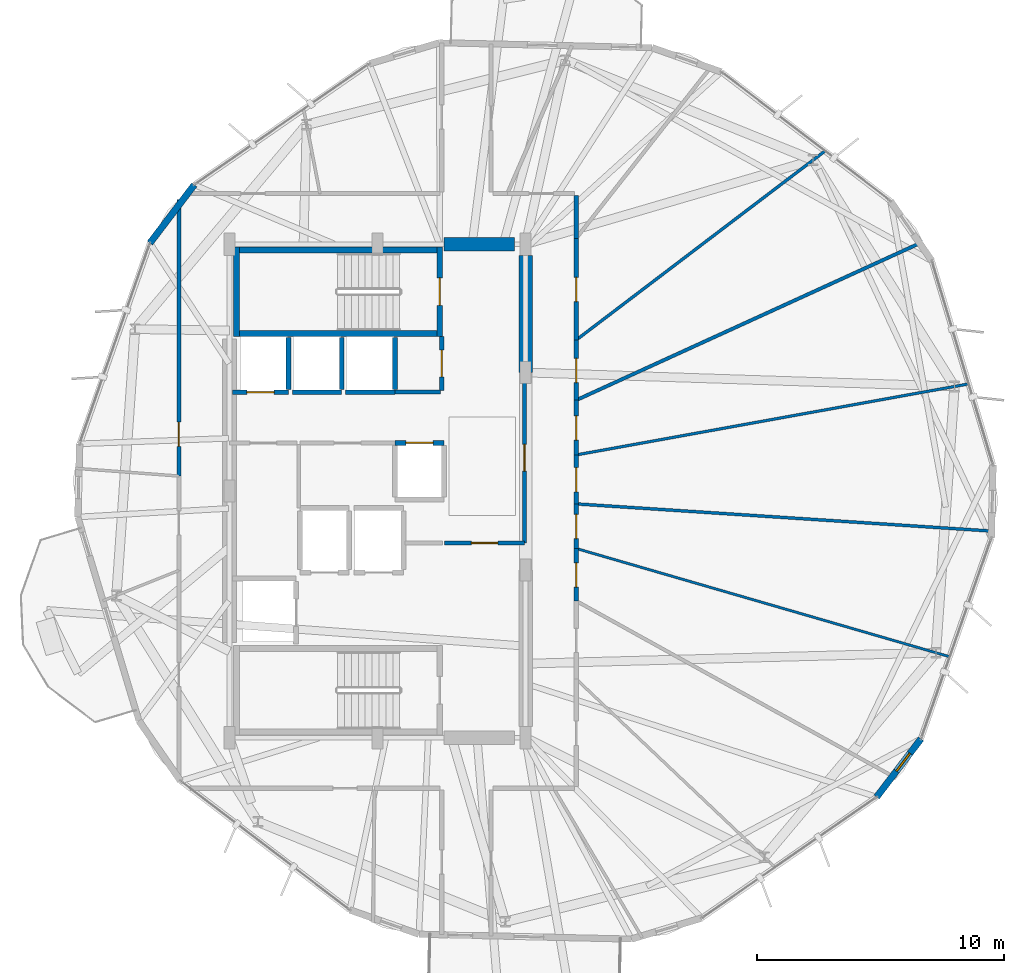
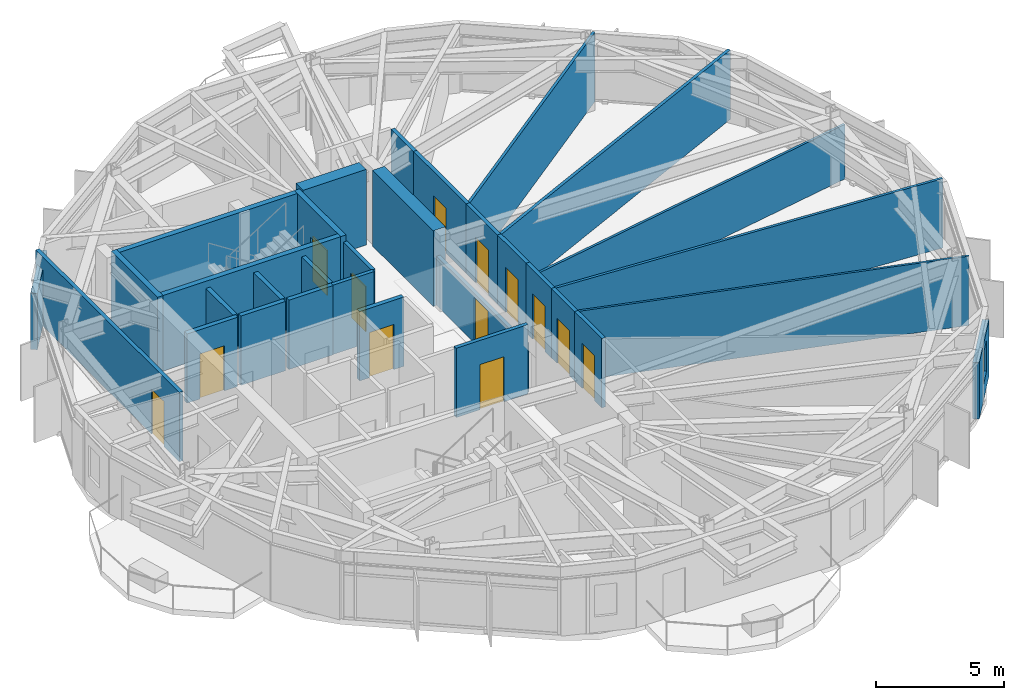
# One storey, part 17 of 22: 32 walls, 13 doors, 1 window, 14 openings.
"""IFC4 building model written with IfcOpenShell, lengths in metres."""

from ifc_helpers import new_model, si_unit, direction, frame, frame_2d, origin, place, context, subcontext, project, spatial, rectangle, extrude, material, layer, layer_set, type_object, element, fill, save


model = new_model("IFC4")

# Units and contexts
model_context = context("Model", 3, precision=1e-05, world=origin(), true_north=direction((0.0, 1.0)))
body_context = subcontext(model_context, "Body", "Model", "MODEL_VIEW")
ifc_project = project(units=[si_unit("LENGTHUNIT", "METRE"), si_unit("AREAUNIT", "SQUARE_METRE"), si_unit("VOLUMEUNIT", "CUBIC_METRE"), si_unit("PLANEANGLEUNIT", "RADIAN"), si_unit("MASSUNIT", "GRAM", prefix="KILO")], contexts=[model_context])

# Site, building, storey
site_placement = place(None, origin())
site = spatial("IfcSite", under=ifc_project, at=site_placement, CompositionType="ELEMENT")
building_placement = place(site_placement, origin())
building = spatial("IfcBuilding", under=site, at=building_placement, Name="Soratama Intermodal Tower", CompositionType="ELEMENT")
storey_placement = place(building_placement, frame((0.0, 0.0, 160.60009765625)))
storey = spatial("IfcBuildingStorey", under=building, at=storey_placement, Name="L39", CompositionType="ELEMENT", Elevation=160.60009765625)

# Wall
ifc_material_1 = material(Name="Concrete f'c 42 MPa", Category="concrete")
ifc_layer_1 = layer(ifc_material_1, 0.27001953125)
ifc_layer_set_1 = layer_set([ifc_layer_1], Name="Concrete f'c 42 MPa")
wall_type_1 = type_object("IfcWallType", Name="EW-CRN-270", PredefinedType="SOLIDWALL", material=ifc_layer_set_1)
wall_1_placement = place(storey_placement, frame((31.175048828125, 37.404541015625, 0.0), z_axis=(0.0, 0.0, 1.0), x_axis=(-0.606288663224, -0.795244652196, 0.0)))
element("IfcWall", 1, at=wall_1_placement, inside=storey, type_object=wall_type_1, Name="L39 Corner Closure Wall 03", PredefinedType="SOLIDWALL", context=body_context, shape_type="SweptSolid", body=[
    extrude(rectangle(XDim=2.966552734375, YDim=0.27001953125, at=frame_2d((1.4833984375, 0.0))), origin(), (0.0, 0.0, 1.0), 2.678955078125),
])

# Wall, opening, window
wall_2_placement = place(storey_placement, frame((58.824951171875, 12.595458984375, 0.0), z_axis=(0.0, 0.0, 1.0), x_axis=(0.606288663224, 0.795244652196, 0.0)))
wall_2 = element("IfcWall", 2, at=wall_2_placement, inside=storey, type_object=wall_type_1, Name="L39 Corner Closure Wall 08", PredefinedType="SOLIDWALL", context=body_context, shape_type="SweptSolid", body=[
    extrude(rectangle(XDim=2.966552734375, YDim=0.27001953125, at=frame_2d((1.4833984375, 0.0))), origin(), (0.0, 0.0, 1.0), 2.678955078125),
])
opening_1_placement = place(wall_2_placement, frame((1.324951171875, 0.0, 0.75)))
opening_1 = element("IfcOpeningElement", 3, at=opening_1_placement, cuts=wall_2, Name="Opening WN-6", PredefinedType="OPENING", context=body_context, shape_type="SweptSolid", body=[
    extrude(rectangle(XDim=0.89990234375, YDim=1.5, at=frame_2d((0.449951171875, 0.75))), frame((0.0, 0.14501953125, 0.0), z_axis=(0.0, -1.0, 0.0), x_axis=(1.0, 0.0, 0.0)), (0.0, 0.0, 1.0), 0.2900390625),
])
ifc_material_2 = material(Name="Double-glazed aluminium window", Category="aluminium")
window_type = type_object("IfcWindowType", Name="WN-FAC-900", PartitioningType="SINGLE_PANEL", PredefinedType="WINDOW", material=ifc_material_2)
window_placement = place(opening_1_placement, origin())
window = element("IfcWindow", 4, at=window_placement, inside=storey, type_object=window_type, Name="L39 Corner Window 08", OverallHeight=1.5, OverallWidth=0.89990234375, PartitioningType="SINGLE_PANEL", PredefinedType="WINDOW", context=body_context, shape_type="SweptSolid", body=[
    extrude(rectangle(XDim=0.89990234375, YDim=1.5, at=frame_2d((0.449951171875, 0.75))), frame((0.0, 0.030029296875, 0.0), z_axis=(0.0, -1.0, 0.0), x_axis=(1.0, 0.0, 0.0)), (0.0, 0.0, 1.0), 0.06005859375),
])
fill(opening_1, window)

# Wall, opening, door
ifc_material_3 = material(Name="Fire-rated gypsum stud partition", Category="concrete")
ifc_layer_2 = layer(ifc_material_3, 0.169921875)
ifc_layer_set_2 = layer_set([ifc_layer_2], Name="Fire-rated gypsum stud partition")
wall_type_2 = type_object("IfcWallType", Name="IW-PART-R170", PredefinedType="PARTITIONING", material=ifc_layer_set_2)
wall_3_placement = place(storey_placement, frame((30.550048828125, 25.60302734375, 0.0), z_axis=(0.0, 0.0, 1.0), x_axis=(0.0, 1.0, 0.0)))
wall_3 = element("IfcWall", 5, at=wall_3_placement, inside=storey, type_object=wall_type_2, Name="L39 Partition W-L39-TP007", PredefinedType="PARTITIONING", context=body_context, shape_type="SweptSolid", body=[
    extrude(rectangle(XDim=11.205078125, YDim=0.169921875, at=frame_2d((5.6025390625, 0.0))), origin(), (0.0, 0.0, 1.0), 3.2998046875),
])
opening_2_placement = place(wall_3_placement, frame((1.2060546875, 0.0, 0.0)))
opening_2 = element("IfcOpeningElement", 6, at=opening_2_placement, cuts=wall_3, Name="Opening ID-5", PredefinedType="OPENING", context=body_context, shape_type="SweptSolid", body=[
    extrude(rectangle(XDim=0.97998046875, YDim=2.14990234375, at=frame_2d((0.489990234375, 1.074951171875))), frame((0.0, 0.094970703125, 0.0), z_axis=(0.0, -1.0, 0.0), x_axis=(1.0, 0.0, 0.0)), (0.0, 0.0, 1.0), 0.18994140625),
])
ifc_material_4 = material(Name="Solid hardwood acoustic door", Category="wood")
door_type_1 = type_object("IfcDoorType", Name="DR-OFF-980", OperationType="NOTDEFINED", PredefinedType="DOOR", material=ifc_material_4)
door_1_placement = place(opening_2_placement, origin())
door_1 = element("IfcDoor", 7, at=door_1_placement, inside=storey, type_object=door_type_1, Name="L39 Door D-L39-TP001", OperationType="SINGLE_SWING_RIGHT", OverallHeight=2.14990234375, OverallWidth=0.97998046875, PredefinedType="DOOR", context=body_context, shape_type="SweptSolid", body=[
    extrude(rectangle(XDim=0.97998046875, YDim=2.14990234375, at=frame_2d((0.489990234375, 1.074951171875))), frame((0.0, 0.02490234375, 0.0), z_axis=(0.0, -1.0, 0.0), x_axis=(1.0, 0.0, 0.0)), (0.0, 0.0, 1.0), 0.050048828125),
])
fill(opening_2, door_1)

wall_4_placement = place(storey_placement, frame((44.56005859375, 29.800048828125, 0.0), z_axis=(0.0, 0.0, 1.0), x_axis=(0.0, -1.0, 0.0)))
wall_4 = element("IfcWall", 8, at=wall_4_placement, inside=storey, type_object=wall_type_2, Name="L39 Partition W-L39-TP013", PredefinedType="PARTITIONING", context=body_context, shape_type="SweptSolid", body=[
    extrude(rectangle(XDim=6.91015625, YDim=0.169921875, at=frame_2d((3.455078125, 0.0))), origin(), (0.0, 0.0, 1.0), 2.33984375),
])
opening_3_placement = place(wall_4_placement, frame((2.9150390625, 0.0, 0.0)))
opening_3 = element("IfcOpeningElement", 9, at=opening_3_placement, cuts=wall_4, Name="Opening ID-1", PredefinedType="OPENING", context=body_context, shape_type="SweptSolid", body=[
    extrude(rectangle(XDim=1.080078125, YDim=2.14990234375, at=frame_2d((0.5400390625, 1.074951171875))), frame((0.0, 0.094970703125, 0.0), z_axis=(0.0, -1.0, 0.0), x_axis=(1.0, 0.0, 0.0)), (0.0, 0.0, 1.0), 0.18994140625),
])
ifc_material_5 = material(Name="Solid hardwood acoustic door", Category="wood")
door_type_2 = type_object("IfcDoorType", Name="DR-LOB-FD60", OperationType="NOTDEFINED", PredefinedType="DOOR", material=ifc_material_5)
door_2_placement = place(opening_3_placement, origin())
door_2 = element("IfcDoor", 10, at=door_2_placement, inside=storey, type_object=door_type_2, Name="L39 Door D-L39-TP004", OperationType="SINGLE_SWING_LEFT", OverallHeight=2.14990234375, OverallWidth=1.080078125, PredefinedType="DOOR", context=body_context, shape_type="SweptSolid", body=[
    extrude(rectangle(XDim=1.080078125, YDim=2.14990234375, at=frame_2d((0.5400390625, 1.074951171875))), frame((0.0, 0.02490234375, 0.0), z_axis=(0.0, -1.0, 0.0), x_axis=(1.0, 0.0, 0.0)), (0.0, 0.0, 1.0), 0.050048828125),
])
fill(opening_3, door_2)

wall_5_placement = place(storey_placement, frame((46.64990234375, 35.237060546875, 0.0), z_axis=(0.0, 0.0, 1.0), x_axis=(0.0, -1.0, 0.0)))
wall_5 = element("IfcWall", 11, at=wall_5_placement, inside=storey, type_object=wall_type_2, Name="L39 Partition W-L39-TP024", PredefinedType="PARTITIONING", context=body_context, shape_type="SweptSolid", body=[
    extrude(rectangle(XDim=4.1220703125, YDim=0.169921875, at=frame_2d((2.06103515625, 0.0))), origin(), (0.0, 0.0, 1.0), 3.2998046875),
])
opening_4_placement = place(wall_5_placement, frame((1.5859375, 0.0, 0.0)))
opening_4 = element("IfcOpeningElement", 12, at=opening_4_placement, cuts=wall_5, Name="Opening ID-5", PredefinedType="OPENING", context=body_context, shape_type="SweptSolid", body=[
    extrude(rectangle(XDim=0.97998046875, YDim=2.14990234375, at=frame_2d((0.489990234375, 1.074951171875))), frame((0.0, 0.094970703125, 0.0), z_axis=(0.0, -1.0, 0.0), x_axis=(1.0, 0.0, 0.0)), (0.0, 0.0, 1.0), 0.18994140625),
])
door_3_placement = place(opening_4_placement, origin())
door_3 = element("IfcDoor", 13, at=door_3_placement, inside=storey, type_object=door_type_1, Name="L39 Door D-L39-TP011", OperationType="SINGLE_SWING_RIGHT", OverallHeight=2.14990234375, OverallWidth=0.97998046875, PredefinedType="DOOR", context=body_context, shape_type="SweptSolid", body=[
    extrude(rectangle(XDim=0.97998046875, YDim=2.14990234375, at=frame_2d((0.489990234375, 1.074951171875))), frame((0.0, 0.02490234375, 0.0), z_axis=(0.0, -1.0, 0.0), x_axis=(1.0, 0.0, 0.0)), (0.0, 0.0, 1.0), 0.050048828125),
])
fill(opening_4, door_3)

wall_6_placement = place(storey_placement, frame((41.320068359375, 22.889892578125, 0.0), z_axis=(0.0, 0.0, 1.0), x_axis=(1.0, 0.0, 0.0)))
wall_6 = element("IfcWall", 14, at=wall_6_placement, inside=storey, type_object=wall_type_2, Name="L39 Partition W-L39-TP029", PredefinedType="PARTITIONING", context=body_context, shape_type="SweptSolid", body=[
    extrude(rectangle(XDim=3.239990234375, YDim=0.169921875, at=frame_2d((1.6201171875, 0.0))), origin(), (0.0, 0.0, 1.0), 3.2998046875),
])
opening_5_placement = place(wall_6_placement, frame((1.080078125, 0.0, 0.0)))
opening_5 = element("IfcOpeningElement", 15, at=opening_5_placement, cuts=wall_6, Name="Opening ID-0", PredefinedType="OPENING", context=body_context, shape_type="SweptSolid", body=[
    extrude(rectangle(XDim=1.080078125, YDim=2.14990234375, at=frame_2d((0.5400390625, 1.074951171875))), frame((0.0, 0.094970703125, 0.0), z_axis=(0.0, -1.0, 0.0), x_axis=(1.0, 0.0, 0.0)), (0.0, 0.0, 1.0), 0.18994140625),
])
ifc_material_6 = material(Name="Solid hardwood acoustic door", Category="wood")
door_type_3 = type_object("IfcDoorType", Name="DR-LOB-FD90", OperationType="NOTDEFINED", PredefinedType="DOOR", material=ifc_material_6)
door_4_placement = place(opening_5_placement, origin())
door_4 = element("IfcDoor", 16, at=door_4_placement, inside=storey, type_object=door_type_3, Name="L39 Door D-L39-TP014", OperationType="SINGLE_SWING_LEFT", OverallHeight=2.14990234375, OverallWidth=1.080078125, PredefinedType="DOOR", context=body_context, shape_type="SweptSolid", body=[
    extrude(rectangle(XDim=1.080078125, YDim=2.14990234375, at=frame_2d((0.5400390625, 1.074951171875))), frame((0.0, 0.02490234375, 0.0), z_axis=(0.0, -1.0, 0.0), x_axis=(1.0, 0.0, 0.0)), (0.0, 0.0, 1.0), 0.050048828125),
])
fill(opening_5, door_4)

wall_7_placement = place(storey_placement, frame((46.64990234375, 31.114990234375, 0.0), z_axis=(0.0, 0.0, 1.0), x_axis=(0.0, -1.0, 0.0)))
wall_7 = element("IfcWall", 17, at=wall_7_placement, inside=storey, type_object=wall_type_2, Name="L39 Partition W-L39-TP036", PredefinedType="PARTITIONING", context=body_context, shape_type="SweptSolid", body=[
    extrude(rectangle(XDim=2.43798828125, YDim=0.169921875, at=frame_2d((1.218994140625, 0.0))), origin(), (0.0, 0.0, 1.0), 3.2998046875),
])
opening_6_placement = place(wall_7_placement, frame((0.743896484375, 0.0, 0.0)))
opening_6 = element("IfcOpeningElement", 18, at=opening_6_placement, cuts=wall_7, Name="Opening ID-5", PredefinedType="OPENING", context=body_context, shape_type="SweptSolid", body=[
    extrude(rectangle(XDim=0.97998046875, YDim=2.14990234375, at=frame_2d((0.489990234375, 1.074951171875))), frame((0.0, 0.094970703125, 0.0), z_axis=(0.0, -1.0, 0.0), x_axis=(1.0, 0.0, 0.0)), (0.0, 0.0, 1.0), 0.18994140625),
])
door_5_placement = place(opening_6_placement, origin())
door_5 = element("IfcDoor", 19, at=door_5_placement, inside=storey, type_object=door_type_1, Name="L39 Door D-L39-TP018", OperationType="SINGLE_SWING_LEFT", OverallHeight=2.14990234375, OverallWidth=0.97998046875, PredefinedType="DOOR", context=body_context, shape_type="SweptSolid", body=[
    extrude(rectangle(XDim=0.97998046875, YDim=2.14990234375, at=frame_2d((0.489990234375, 1.074951171875))), frame((0.0, 0.02490234375, 0.0), z_axis=(0.0, -1.0, 0.0), x_axis=(1.0, 0.0, 0.0)), (0.0, 0.0, 1.0), 0.050048828125),
])
fill(opening_6, door_5)

wall_8_placement = place(storey_placement, frame((46.64990234375, 28.677001953125, 0.0), z_axis=(0.0, 0.0, 1.0), x_axis=(0.0, -1.0, 0.0)))
wall_8 = element("IfcWall", 20, at=wall_8_placement, inside=storey, type_object=wall_type_2, Name="L39 Partition W-L39-TP037", PredefinedType="PARTITIONING", context=body_context, shape_type="SweptSolid", body=[
    extrude(rectangle(XDim=2.218994140625, YDim=0.169921875, at=frame_2d((1.109375, 0.0))), origin(), (0.0, 0.0, 1.0), 3.2998046875),
])
opening_7_placement = place(wall_8_placement, frame((0.635009765625, 0.0, 0.0)))
opening_7 = element("IfcOpeningElement", 21, at=opening_7_placement, cuts=wall_8, Name="Opening ID-5", PredefinedType="OPENING", context=body_context, shape_type="SweptSolid", body=[
    extrude(rectangle(XDim=0.97998046875, YDim=2.14990234375, at=frame_2d((0.489990234375, 1.074951171875))), frame((0.0, 0.094970703125, 0.0), z_axis=(0.0, -1.0, 0.0), x_axis=(1.0, 0.0, 0.0)), (0.0, 0.0, 1.0), 0.18994140625),
])
door_6_placement = place(opening_7_placement, origin())
door_6 = element("IfcDoor", 22, at=door_6_placement, inside=storey, type_object=door_type_1, Name="L39 Door D-L39-TP019", OperationType="SINGLE_SWING_RIGHT", OverallHeight=2.14990234375, OverallWidth=0.97998046875, PredefinedType="DOOR", context=body_context, shape_type="SweptSolid", body=[
    extrude(rectangle(XDim=0.97998046875, YDim=2.14990234375, at=frame_2d((0.489990234375, 1.074951171875))), frame((0.0, 0.02490234375, 0.0), z_axis=(0.0, -1.0, 0.0), x_axis=(1.0, 0.0, 0.0)), (0.0, 0.0, 1.0), 0.050048828125),
])
fill(opening_7, door_6)

wall_9_placement = place(storey_placement, frame((41.199951171875, 29.070068359375, 0.0), z_axis=(0.0, 0.0, 1.0), x_axis=(0.0, 1.0, 0.0)))
wall_9 = element("IfcWall", 23, at=wall_9_placement, inside=storey, type_object=wall_type_2, Name="L39 Partition W-L39-TP038", PredefinedType="PARTITIONING", context=body_context, shape_type="SweptSolid", body=[
    extrude(rectangle(XDim=2.18994140625, YDim=0.169921875, at=frame_2d((1.094970703125, 0.0))), origin(), (0.0, 0.0, 1.0), 3.2998046875),
])
opening_8_placement = place(wall_9_placement, frame((0.554931640625, 0.0, 0.0)))
opening_8 = element("IfcOpeningElement", 24, at=opening_8_placement, cuts=wall_9, Name="Opening ID-1", PredefinedType="OPENING", context=body_context, shape_type="SweptSolid", body=[
    extrude(rectangle(XDim=1.080078125, YDim=2.14990234375, at=frame_2d((0.5400390625, 1.074951171875))), frame((0.0, 0.094970703125, 0.0), z_axis=(0.0, -1.0, 0.0), x_axis=(1.0, 0.0, 0.0)), (0.0, 0.0, 1.0), 0.18994140625),
])
door_7_placement = place(opening_8_placement, origin())
door_7 = element("IfcDoor", 25, at=door_7_placement, inside=storey, type_object=door_type_2, Name="L39 Door D-L39-TP020", OperationType="SINGLE_SWING_LEFT", OverallHeight=2.14990234375, OverallWidth=1.080078125, PredefinedType="DOOR", context=body_context, shape_type="SweptSolid", body=[
    extrude(rectangle(XDim=1.080078125, YDim=2.14990234375, at=frame_2d((0.5400390625, 1.074951171875))), frame((0.0, 0.02490234375, 0.0), z_axis=(0.0, -1.0, 0.0), x_axis=(1.0, 0.0, 0.0)), (0.0, 0.0, 1.0), 0.050048828125),
])
fill(opening_8, door_7)

wall_10_placement = place(storey_placement, frame((46.64990234375, 22.66796875, 0.0), z_axis=(0.0, 0.0, 1.0), x_axis=(0.0, -1.0, 0.0)))
wall_10 = element("IfcWall", 26, at=wall_10_placement, inside=storey, type_object=wall_type_2, Name="L39 Partition W-L39-TP039", PredefinedType="PARTITIONING", context=body_context, shape_type="SweptSolid", body=[
    extrude(rectangle(XDim=2.1259765625, YDim=0.169921875, at=frame_2d((1.06298828125, 0.0))), origin(), (0.0, 0.0, 1.0), 3.2998046875),
])
opening_9_placement = place(wall_10_placement, frame((0.587890625, 0.0, 0.0)))
opening_9 = element("IfcOpeningElement", 27, at=opening_9_placement, cuts=wall_10, Name="Opening ID-5", PredefinedType="OPENING", context=body_context, shape_type="SweptSolid", body=[
    extrude(rectangle(XDim=0.97998046875, YDim=2.14990234375, at=frame_2d((0.489990234375, 1.074951171875))), frame((0.0, 0.094970703125, 0.0), z_axis=(0.0, -1.0, 0.0), x_axis=(1.0, 0.0, 0.0)), (0.0, 0.0, 1.0), 0.18994140625),
])
door_8_placement = place(opening_9_placement, origin())
door_8 = element("IfcDoor", 28, at=door_8_placement, inside=storey, type_object=door_type_1, Name="L39 Door D-L39-TP021", OperationType="SINGLE_SWING_RIGHT", OverallHeight=2.14990234375, OverallWidth=0.97998046875, PredefinedType="DOOR", context=body_context, shape_type="SweptSolid", body=[
    extrude(rectangle(XDim=0.97998046875, YDim=2.14990234375, at=frame_2d((0.489990234375, 1.074951171875))), frame((0.0, 0.02490234375, 0.0), z_axis=(0.0, -1.0, 0.0), x_axis=(1.0, 0.0, 0.0)), (0.0, 0.0, 1.0), 0.050048828125),
])
fill(opening_9, door_8)

wall_11_placement = place(storey_placement, frame((46.64990234375, 26.4580078125, 0.0), z_axis=(0.0, 0.0, 1.0), x_axis=(0.0, -1.0, 0.0)))
wall_11 = element("IfcWall", 29, at=wall_11_placement, inside=storey, type_object=wall_type_2, Name="L39 Partition W-L39-TP040", PredefinedType="PARTITIONING", context=body_context, shape_type="SweptSolid", body=[
    extrude(rectangle(XDim=1.98388671875, YDim=0.169921875, at=frame_2d((0.991943359375, 0.0))), origin(), (0.0, 0.0, 1.0), 3.2998046875),
])
opening_10_placement = place(wall_11_placement, frame((0.51708984375, 0.0, 0.0)))
opening_10 = element("IfcOpeningElement", 30, at=opening_10_placement, cuts=wall_11, Name="Opening ID-5", PredefinedType="OPENING", context=body_context, shape_type="SweptSolid", body=[
    extrude(rectangle(XDim=0.97998046875, YDim=2.14990234375, at=frame_2d((0.489990234375, 1.074951171875))), frame((0.0, 0.094970703125, 0.0), z_axis=(0.0, -1.0, 0.0), x_axis=(1.0, 0.0, 0.0)), (0.0, 0.0, 1.0), 0.18994140625),
])
door_9_placement = place(opening_10_placement, origin())
door_9 = element("IfcDoor", 31, at=door_9_placement, inside=storey, type_object=door_type_1, Name="L39 Door D-L39-TP022", OperationType="SINGLE_SWING_LEFT", OverallHeight=2.14990234375, OverallWidth=0.97998046875, PredefinedType="DOOR", context=body_context, shape_type="SweptSolid", body=[
    extrude(rectangle(XDim=0.97998046875, YDim=2.14990234375, at=frame_2d((0.489990234375, 1.074951171875))), frame((0.0, 0.02490234375, 0.0), z_axis=(0.0, -1.0, 0.0), x_axis=(1.0, 0.0, 0.0)), (0.0, 0.0, 1.0), 0.050048828125),
])
fill(opening_10, door_9)

# Wall
wall_12_placement = place(storey_placement, frame((39.300048828125, 29.010009765625, 0.0), z_axis=(0.0, 0.0, 1.0), x_axis=(1.0, 0.0, 0.0)))
element("IfcWall", 32, at=wall_12_placement, inside=storey, type_object=wall_type_2, Name="L39 Partition W-L39-TP041", PredefinedType="PARTITIONING", context=body_context, shape_type="SweptSolid", body=[
    extrude(rectangle(XDim=1.85986328125, YDim=0.169921875, at=frame_2d((0.929931640625, 0.0))), origin(), (0.0, 0.0, 1.0), 3.2998046875),
])

# Wall, opening, door
wall_13_placement = place(storey_placement, frame((46.64990234375, 24.47412109375, 0.0), z_axis=(0.0, 0.0, 1.0), x_axis=(0.0, -1.0, 0.0)))
wall_13 = element("IfcWall", 33, at=wall_13_placement, inside=storey, type_object=wall_type_2, Name="L39 Partition W-L39-TP042", PredefinedType="PARTITIONING", context=body_context, shape_type="SweptSolid", body=[
    extrude(rectangle(XDim=1.80615234375, YDim=0.169921875, at=frame_2d((0.903076171875, 0.0))), origin(), (0.0, 0.0, 1.0), 3.2998046875),
])
opening_11_placement = place(wall_13_placement, frame((0.427978515625, 0.0, 0.0)))
opening_11 = element("IfcOpeningElement", 34, at=opening_11_placement, cuts=wall_13, Name="Opening ID-5", PredefinedType="OPENING", context=body_context, shape_type="SweptSolid", body=[
    extrude(rectangle(XDim=0.97998046875, YDim=2.14990234375, at=frame_2d((0.489990234375, 1.074951171875))), frame((0.0, 0.094970703125, 0.0), z_axis=(0.0, -1.0, 0.0), x_axis=(1.0, 0.0, 0.0)), (0.0, 0.0, 1.0), 0.18994140625),
])
door_10_placement = place(opening_11_placement, origin())
door_10 = element("IfcDoor", 35, at=door_10_placement, inside=storey, type_object=door_type_1, Name="L39 Door D-L39-TP023", OperationType="SINGLE_SWING_RIGHT", OverallHeight=2.14990234375, OverallWidth=0.97998046875, PredefinedType="DOOR", context=body_context, shape_type="SweptSolid", body=[
    extrude(rectangle(XDim=0.97998046875, YDim=2.14990234375, at=frame_2d((0.489990234375, 1.074951171875))), frame((0.0, 0.02490234375, 0.0), z_axis=(0.0, -1.0, 0.0), x_axis=(1.0, 0.0, 0.0)), (0.0, 0.0, 1.0), 0.050048828125),
])
fill(opening_11, door_10)

# Walls
wall_14_placement = place(storey_placement, frame((46.64990234375, 36.97998046875, 0.0), z_axis=(0.0, 0.0, 1.0), x_axis=(0.0, -1.0, 0.0)))
element("IfcWall", 36, at=wall_14_placement, inside=storey, type_object=wall_type_2, Name="L39 Partition W-L39-TP043", PredefinedType="PARTITIONING", context=body_context, shape_type="SweptSolid", body=[
    extrude(rectangle(XDim=1.742919921875, YDim=0.169921875, at=frame_2d((0.87158203125, 0.0))), origin(), (0.0, 0.0, 1.0), 3.2998046875),
])
ifc_material_7 = material(Name="Fire-rated gypsum stud partition", Category="concrete")
ifc_layer_3 = layer(ifc_material_7, 0.10009765625)
ifc_layer_set_3 = layer_set([ifc_layer_3], Name="Fire-rated gypsum stud partition")
wall_type_3 = type_object("IfcWallType", Name="IW-PART-S100", PredefinedType="PARTITIONING", material=ifc_layer_set_3)
wall_15_placement = place(storey_placement, frame((46.64990234375, 22.66796875, 0.0), z_axis=(0.0, 0.0, 1.0), x_axis=(0.960491510773, -0.278309284308, 0.0)))
element("IfcWall", 37, at=wall_15_placement, inside=storey, type_object=wall_type_3, Name="L39 Partition W-L39-TP003", PredefinedType="PARTITIONING", context=body_context, shape_type="SweptSolid", body=[
    extrude(rectangle(XDim=15.762939453125, YDim=0.10009765625, at=frame_2d((7.88134765625, 0.0))), origin(), (0.0, 0.0, 1.0), 3.2998046875),
])
ifc_material_8 = material(Name="Fire-rated gypsum stud partition", Category="concrete")
ifc_layer_4 = layer(ifc_material_8, 0.110107421875)
ifc_layer_set_4 = layer_set([ifc_layer_4], Name="Fire-rated gypsum stud partition")
wall_type_4 = type_object("IfcWallType", Name="IW-PART-S110", PredefinedType="PARTITIONING", material=ifc_layer_set_4)
wall_16_placement = place(storey_placement, frame((46.64990234375, 26.4580078125, 0.0), z_axis=(0.0, 0.0, 1.0), x_axis=(0.984011648358, 0.178104115326, 0.0)))
element("IfcWall", 38, at=wall_16_placement, inside=storey, type_object=wall_type_4, Name="L39 Partition W-L39-TP002", PredefinedType="PARTITIONING", context=body_context, shape_type="SweptSolid", body=[
    extrude(rectangle(XDim=16.169677734375, YDim=0.110107421875, at=frame_2d((8.0849609375, 0.0))), origin(), (0.0, 0.0, 1.0), 2.594970703125),
])
ifc_material_9 = material(Name="Fire-rated gypsum stud partition", Category="concrete")
ifc_layer_5 = layer(ifc_material_9, 0.1201171875)
ifc_layer_set_5 = layer_set([ifc_layer_5], Name="Fire-rated gypsum stud partition")
wall_type_5 = type_object("IfcWallType", Name="IW-PART-S120", PredefinedType="PARTITIONING", material=ifc_layer_set_5)
wall_17_placement = place(storey_placement, frame((63.527099609375, 23.3701171875, 0.0), z_axis=(0.0, 0.0, 1.0), x_axis=(-0.997867350215, 0.065274431247, 0.0)))
element("IfcWall", 39, at=wall_17_placement, inside=storey, type_object=wall_type_5, Name="L39 Partition W-L39-TP001", PredefinedType="PARTITIONING", context=body_context, shape_type="SweptSolid", body=[
    extrude(rectangle(XDim=16.913330078125, YDim=0.1201171875, at=frame_2d((8.45654296875, 0.0))), origin(), (0.0, 0.0, 1.0), 3.2998046875),
])
wall_18_placement = place(storey_placement, frame((46.64990234375, 31.114990234375, 0.0), z_axis=(0.0, 0.0, 1.0), x_axis=(0.796320074683, 0.604875473678, 0.0)))
element("IfcWall", 40, at=wall_18_placement, inside=storey, type_object=wall_type_5, Name="L39 Partition W-L39-TP006", PredefinedType="PARTITIONING", context=body_context, shape_type="SweptSolid", body=[
    extrude(rectangle(XDim=12.662109375, YDim=0.1201171875, at=frame_2d((6.3310546875, 0.0))), origin(), (0.0, 0.0, 1.0), 3.2998046875),
])
ifc_material_10 = material(Name="Fire-rated gypsum stud partition", Category="concrete")
ifc_layer_6 = layer(ifc_material_10, 0.139892578125)
ifc_layer_set_6 = layer_set([ifc_layer_6], Name="Fire-rated gypsum stud partition")
wall_type_6 = type_object("IfcWallType", Name="IW-PART-S140", PredefinedType="PARTITIONING", material=ifc_layer_set_6)
wall_19_placement = place(storey_placement, frame((46.64990234375, 28.677001953125, 0.0), z_axis=(0.0, 0.0, 1.0), x_axis=(0.909587862055, 0.415511637866, 0.0)))
element("IfcWall", 41, at=wall_19_placement, inside=storey, type_object=wall_type_6, Name="L39 Partition W-L39-TP004", PredefinedType="PARTITIONING", context=body_context, shape_type="SweptSolid", body=[
    extrude(rectangle(XDim=15.441162109375, YDim=0.139892578125, at=frame_2d((7.720703125, 0.0))), origin(), (0.0, 0.0, 1.0), 3.2998046875),
])

# Wall, opening, door
ifc_material_11 = material(Name="Concrete f'c 42 MPa", Category="concrete")
ifc_layer_7 = layer(ifc_material_11, 0.199951171875)
ifc_layer_set_7 = layer_set([ifc_layer_7], Name="Concrete f'c 42 MPa")
wall_type_7 = type_object("IfcWallType", Name="IW-SHAFT-200", PredefinedType="SOLIDWALL", material=ifc_layer_set_7)
wall_20_placement = place(storey_placement, frame((39.300048828125, 26.949951171875, 0.0), z_axis=(0.0, 0.0, 1.0), x_axis=(1.0, 0.0, 0.0)))
wall_20 = element("IfcWall", 42, at=wall_20_placement, inside=storey, type_object=wall_type_7, Name="L39 PL-M1 Hoistway Wall N", PredefinedType="SOLIDWALL", context=body_context, shape_type="SweptSolid", body=[
    extrude(rectangle(XDim=2.0, YDim=0.199951171875, at=frame_2d((1.0, 0.0))), origin(), (0.0, 0.0, 1.0), 3.2998046875),
])
opening_12_placement = place(wall_20_placement, frame((0.449951171875, 0.0, 0.0)))
opening_12 = element("IfcOpeningElement", 43, at=opening_12_placement, cuts=wall_20, Name="Opening LD-1", PredefinedType="OPENING", context=body_context, shape_type="SweptSolid", body=[
    extrude(rectangle(XDim=1.10009765625, YDim=2.14990234375, at=frame_2d((0.550048828125, 1.074951171875))), frame((0.0, 0.10986328125, 0.0), z_axis=(0.0, -1.0, 0.0), x_axis=(1.0, 0.0, 0.0)), (0.0, 0.0, 1.0), 0.219970703125),
])
ifc_material_12 = material(Name="Steel fire door", Category="steel")
door_type_4 = type_object("IfcDoorType", Name="DR-LIFT-SLIDE", OperationType="NOTDEFINED", PredefinedType="DOOR", material=ifc_material_12)
door_11_placement = place(opening_12_placement, origin())
door_11 = element("IfcDoor", 44, at=door_11_placement, inside=storey, type_object=door_type_4, Name="L39 PL-M1 Sliding Landing Door", OperationType="SLIDING_TO_LEFT", OverallHeight=2.14990234375, OverallWidth=1.10009765625, PredefinedType="DOOR", context=body_context, shape_type="SweptSolid", body=[
    extrude(rectangle(XDim=1.10009765625, YDim=2.14990234375, at=frame_2d((0.550048828125, 1.074951171875))), frame((0.0, 0.02490234375, 0.0), z_axis=(0.0, -1.0, 0.0), x_axis=(1.0, 0.0, 0.0)), (0.0, 0.0, 1.0), 0.050048828125),
])
fill(opening_12, door_11)

wall_21_placement = place(storey_placement, frame((32.719970703125, 29.0, 0.0), z_axis=(0.0, 0.0, 1.0), x_axis=(1.0, 0.0, 0.0)))
wall_21 = element("IfcWall", 45, at=wall_21_placement, inside=storey, type_object=wall_type_7, Name="L39 PL-M2 Hoistway Wall S", PredefinedType="SOLIDWALL", context=body_context, shape_type="SweptSolid", body=[
    extrude(rectangle(XDim=2.280029296875, YDim=0.199951171875, at=frame_2d((1.14013671875, 0.0))), origin(), (0.0, 0.0, 1.0), 3.2998046875),
])
opening_13_placement = place(wall_21_placement, frame((0.590087890625, 0.0, 0.0)))
opening_13 = element("IfcOpeningElement", 46, at=opening_13_placement, cuts=wall_21, Name="Opening LD-1", PredefinedType="OPENING", context=body_context, shape_type="SweptSolid", body=[
    extrude(rectangle(XDim=1.10009765625, YDim=2.14990234375, at=frame_2d((0.550048828125, 1.074951171875))), frame((0.0, 0.10986328125, 0.0), z_axis=(0.0, -1.0, 0.0), x_axis=(1.0, 0.0, 0.0)), (0.0, 0.0, 1.0), 0.219970703125),
])
door_12_placement = place(opening_13_placement, origin())
door_12 = element("IfcDoor", 47, at=door_12_placement, inside=storey, type_object=door_type_4, Name="L39 PL-M2 Sliding Landing Door", OperationType="SLIDING_TO_LEFT", OverallHeight=2.14990234375, OverallWidth=1.10009765625, PredefinedType="DOOR", context=body_context, shape_type="SweptSolid", body=[
    extrude(rectangle(XDim=1.10009765625, YDim=2.14990234375, at=frame_2d((0.550048828125, 1.074951171875))), frame((0.0, 0.02490234375, 0.0), z_axis=(0.0, -1.0, 0.0), x_axis=(1.0, 0.0, 0.0)), (0.0, 0.0, 1.0), 0.050048828125),
])
fill(opening_13, door_12)

# Walls
wall_22_placement = place(storey_placement, frame((35.0, 29.110107421875, 0.0), z_axis=(0.0, 0.0, 1.0), x_axis=(0.0, 1.0, 0.0)))
element("IfcWall", 48, at=wall_22_placement, inside=storey, type_object=wall_type_7, Name="L39 PL-M2 Hoistway Wall E", PredefinedType="SOLIDWALL", context=body_context, shape_type="SweptSolid", body=[
    extrude(rectangle(XDim=2.099853515625, YDim=0.199951171875, at=frame_2d((1.0498046875, 0.0))), origin(), (0.0, 0.0, 1.0), 3.2998046875),
])
wall_23_placement = place(storey_placement, frame((35.14990234375, 29.0, 0.0), z_axis=(0.0, 0.0, 1.0), x_axis=(1.0, 0.0, 0.0)))
element("IfcWall", 49, at=wall_23_placement, inside=storey, type_object=wall_type_7, Name="L39 PL-H1 Hoistway Wall S", PredefinedType="SOLIDWALL", context=body_context, shape_type="SweptSolid", body=[
    extrude(rectangle(XDim=2.0, YDim=0.199951171875, at=frame_2d((1.0, 0.0))), origin(), (0.0, 0.0, 1.0), 3.2998046875),
])
wall_24_placement = place(storey_placement, frame((37.14990234375, 29.110107421875, 0.0), z_axis=(0.0, 0.0, 1.0), x_axis=(0.0, 1.0, 0.0)))
element("IfcWall", 50, at=wall_24_placement, inside=storey, type_object=wall_type_7, Name="L39 PL-H1 Hoistway Wall E", PredefinedType="SOLIDWALL", context=body_context, shape_type="SweptSolid", body=[
    extrude(rectangle(XDim=2.099853515625, YDim=0.199951171875, at=frame_2d((1.0498046875, 0.0))), origin(), (0.0, 0.0, 1.0), 3.2998046875),
])
wall_25_placement = place(storey_placement, frame((37.300048828125, 29.0, 0.0), z_axis=(0.0, 0.0, 1.0), x_axis=(1.0, 0.0, 0.0)))
element("IfcWall", 51, at=wall_25_placement, inside=storey, type_object=wall_type_7, Name="L39 PL-H2 Hoistway Wall S", PredefinedType="SOLIDWALL", context=body_context, shape_type="SweptSolid", body=[
    extrude(rectangle(XDim=2.0, YDim=0.199951171875, at=frame_2d((1.0, 0.0))), origin(), (0.0, 0.0, 1.0), 3.2998046875),
])
wall_26_placement = place(storey_placement, frame((39.300048828125, 29.110107421875, 0.0), z_axis=(0.0, 0.0, 1.0), x_axis=(0.0, 1.0, 0.0)))
element("IfcWall", 52, at=wall_26_placement, inside=storey, type_object=wall_type_7, Name="L39 PL-H2 Hoistway Wall E", PredefinedType="SOLIDWALL", context=body_context, shape_type="SweptSolid", body=[
    extrude(rectangle(XDim=2.099853515625, YDim=0.199951171875, at=frame_2d((1.0498046875, 0.0))), origin(), (0.0, 0.0, 1.0), 3.2998046875),
])
ifc_material_13 = material(Name="Concrete f'c 56 MPa", Category="concrete")
ifc_layer_8 = layer(ifc_material_13, 0.550048828125)
ifc_layer_set_8 = layer_set([ifc_layer_8], Name="Concrete f'c 56 MPa")
wall_type_8 = type_object("IfcWallType", Name="SW-CORE-550", PredefinedType="SHEAR", material=ifc_layer_set_8)
wall_27_placement = place(storey_placement, frame((41.300048828125, 35.0, 0.0), z_axis=(0.0, 0.0, 1.0), x_axis=(1.0, 0.0, 0.0)))
element("IfcWall", 53, at=wall_27_placement, inside=storey, type_object=wall_type_8, Name="L39 Core Shear Wall CW-NE", PredefinedType="SHEAR", context=body_context, shape_type="SweptSolid", body=[
    extrude(rectangle(XDim=2.849853515625, YDim=0.550048828125, at=frame_2d((1.4248046875, 0.0))), origin(), (0.0, 0.0, 1.0), 3.599853515625),
])
wall_28_placement = place(storey_placement, frame((44.60009765625, 29.800048828125, 0.0), z_axis=(0.0, 0.0, 1.0), x_axis=(0.0, 1.0, 0.0)))
element("IfcWall", 54, at=wall_28_placement, inside=storey, type_object=wall_type_8, Name="L39 Core Shear Wall CW-EN", PredefinedType="SHEAR", context=body_context, shape_type="SweptSolid", body=[
    extrude(rectangle(XDim=4.75, YDim=0.550048828125, at=frame_2d((2.375, 0.0))), origin(), (0.0, 0.0, 1.0), 3.599853515625),
])
ifc_material_14 = material(Name="Concrete f'c 56 MPa", Category="concrete")
ifc_layer_9 = layer(ifc_material_14, 0.239990234375)
ifc_layer_set_9 = layer_set([ifc_layer_9], Name="Concrete f'c 56 MPa")
wall_type_9 = type_object("IfcWallType", Name="SW-STAIR-240", PredefinedType="SHEAR", material=ifc_layer_set_9)
wall_29_placement = place(storey_placement, frame((32.8798828125, 31.260009765625, 0.0), z_axis=(0.0, 0.0, 1.0), x_axis=(0.0, 1.0, 0.0)))
element("IfcWall", 55, at=wall_29_placement, inside=storey, type_object=wall_type_9, Name="L39 ST-2 Shaft Shear Wall W", PredefinedType="SHEAR", context=body_context, shape_type="SweptSolid", body=[
    extrude(rectangle(XDim=3.6298828125, YDim=0.239990234375, at=frame_2d((1.81494140625, 0.0))), origin(), (0.0, 0.0, 1.0), 3.599853515625),
])

# Wall, opening, door
wall_30_placement = place(storey_placement, frame((41.1201171875, 31.260009765625, 0.0), z_axis=(0.0, 0.0, 1.0), x_axis=(0.0, 1.0, 0.0)))
wall_30 = element("IfcWall", 56, at=wall_30_placement, inside=storey, type_object=wall_type_9, Name="L39 ST-2 Shaft Shear Wall E", PredefinedType="SHEAR", context=body_context, shape_type="SweptSolid", body=[
    extrude(rectangle(XDim=3.6298828125, YDim=0.239990234375, at=frame_2d((1.81494140625, 0.0))), origin(), (0.0, 0.0, 1.0), 3.599853515625),
])
opening_14_placement = place(wall_30_placement, frame((1.2548828125, 0.0, 0.0)))
opening_14 = element("IfcOpeningElement", 57, at=opening_14_placement, cuts=wall_30, Name="Opening SD-1", PredefinedType="OPENING", context=body_context, shape_type="SweptSolid", body=[
    extrude(rectangle(XDim=1.1201171875, YDim=2.14990234375, at=frame_2d((0.56005859375, 1.074951171875))), frame((0.0, 0.1298828125, 0.0), z_axis=(0.0, -1.0, 0.0), x_axis=(1.0, 0.0, 0.0)), (0.0, 0.0, 1.0), 0.260009765625),
])
ifc_material_15 = material(Name="Steel fire door", Category="steel")
door_type_5 = type_object("IfcDoorType", Name="DR-STAIR-FD90", OperationType="NOTDEFINED", PredefinedType="DOOR", material=ifc_material_15)
door_13_placement = place(opening_14_placement, origin())
door_13 = element("IfcDoor", 58, at=door_13_placement, inside=storey, type_object=door_type_5, Name="L39 ST-2 Exit Stair Door", OperationType="SINGLE_SWING_RIGHT", OverallHeight=2.14990234375, OverallWidth=1.1201171875, PredefinedType="DOOR", context=body_context, shape_type="SweptSolid", body=[
    extrude(rectangle(XDim=1.1201171875, YDim=2.14990234375, at=frame_2d((0.56005859375, 1.074951171875))), frame((0.0, 0.02490234375, 0.0), z_axis=(0.0, -1.0, 0.0), x_axis=(1.0, 0.0, 0.0)), (0.0, 0.0, 1.0), 0.050048828125),
])
fill(opening_14, door_13)

# Walls
for number, where, z_axis, x_axis, name in (
    (59, (33.0, 31.3798828125, 0.0), (0.0, 0.0, 1.0), (1.0, 0.0, 0.0), "L39 ST-2 Shaft Shear Wall S"),
    (60, (33.0, 34.77001953125, 0.0), (0.0, 0.0, 1.0), (1.0, 0.0, 0.0), "L39 ST-2 Shaft Shear Wall N"),
):
    element("IfcWall", number, at=place(storey_placement, frame(where, z_axis=z_axis, x_axis=x_axis)), inside=storey, type_object=wall_type_9, Name=name, PredefinedType="SHEAR", context=body_context, shape_type="SweptSolid", body=[
        extrude(rectangle(XDim=8.0, YDim=0.239990234375, at=frame_2d((4.0, 0.0))), origin(), (0.0, 0.0, 1.0), 3.599853515625),
    ])

save(model, "model.ifc")
